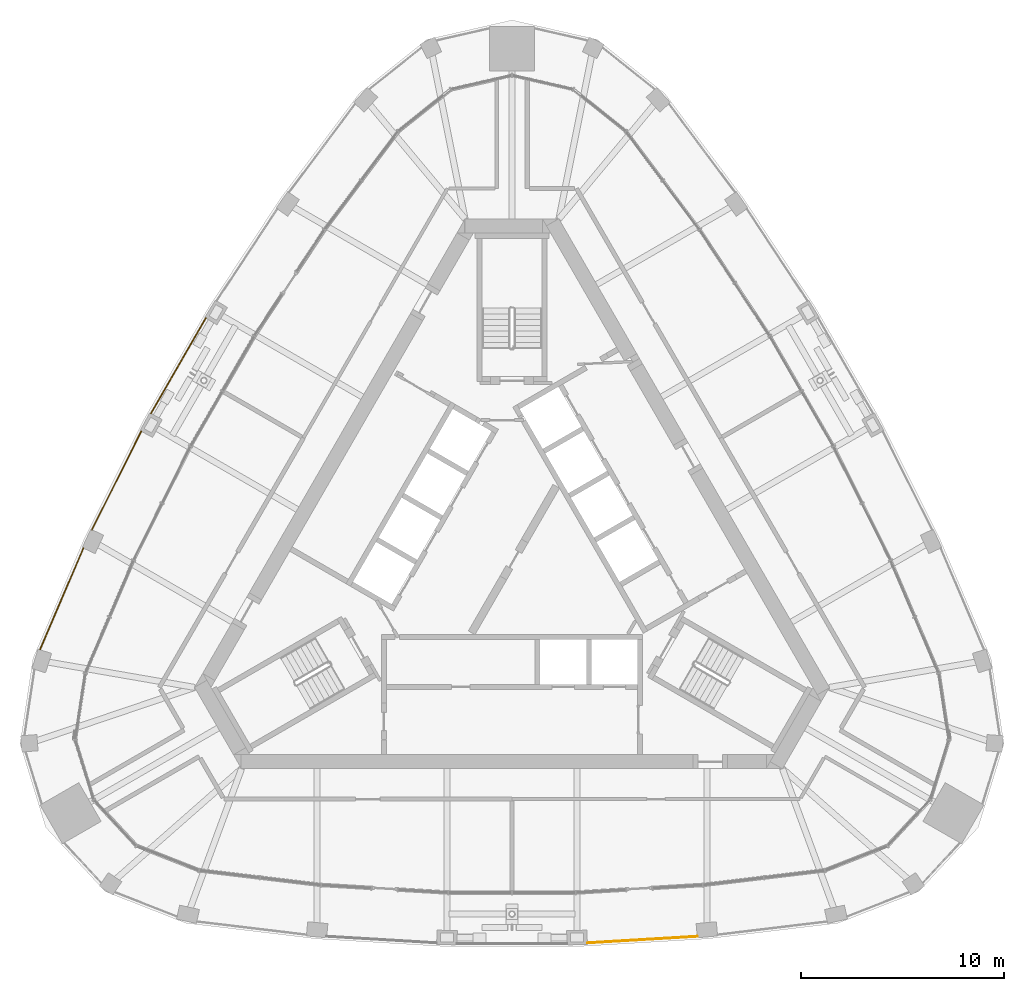
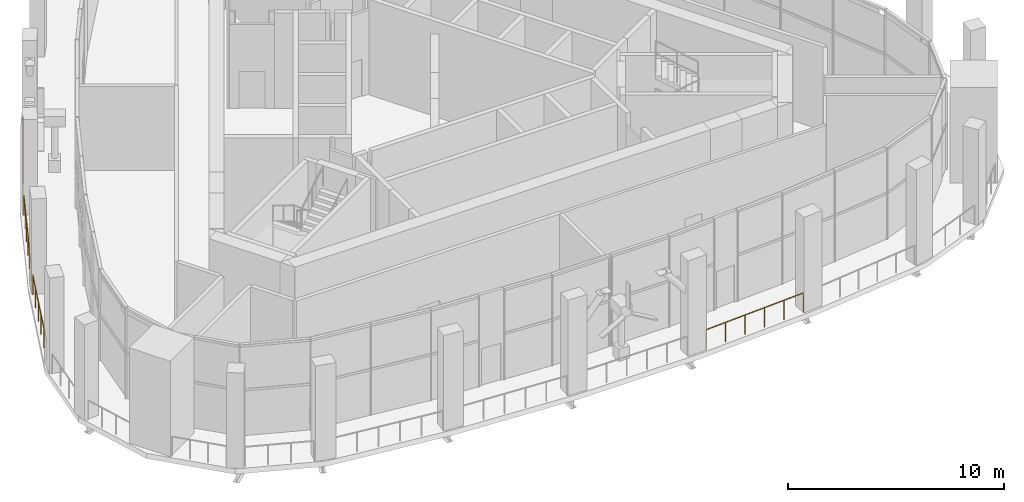
# One storey, part 19 of 23: 4 railings.
"""IFC4 building model written with IfcOpenShell, lengths in metres."""

from ifc_helpers import new_model, si_unit, direction, frame, origin, origin_2d, place, context, subcontext, project, spatial, circle, extrude, material, type_object, element, save


model = new_model("IFC4")

# Units and contexts
model_context = context("Model", 3, precision=1e-05, world=origin(), true_north=direction((0.0, 1.0)))
body_context = subcontext(model_context, "Body", "Model", "MODEL_VIEW")
ifc_project = project(units=[si_unit("LENGTHUNIT", "METRE"), si_unit("AREAUNIT", "SQUARE_METRE"), si_unit("VOLUMEUNIT", "CUBIC_METRE"), si_unit("PLANEANGLEUNIT", "RADIAN"), si_unit("MASSUNIT", "GRAM", prefix="KILO")], contexts=[model_context])

# Site, building, storey
site_placement = place(None, origin())
site = spatial("IfcSite", under=ifc_project, at=site_placement, CompositionType="ELEMENT")
building_placement = place(site_placement, origin())
building = spatial("IfcBuilding", under=site, at=building_placement, Name="Mestral Congress Tower", CompositionType="ELEMENT")
storey_placement = place(building_placement, frame((0.0, 0.0, 261.60009765625)))
storey = spatial("IfcBuildingStorey", under=building, at=storey_placement, Name="L61", CompositionType="ELEMENT", Elevation=261.60009765625)

# Railings
ifc_material = material(Name="Stainless steel", Category="steel")
railing_type = type_object("IfcRailingType", Name="Facade guard 1120 steel and glass", PredefinedType="GUARDRAIL", material=ifc_material)
railing_1_placement = place(storey_placement, frame((3.713134765625, -18.925048828125, 0.0)))
element("IfcRailing", 1, at=railing_1_placement, inside=storey, type_object=railing_type, Name="Ring deck guard F0-03", PredefinedType="GUARDRAIL", context=body_context, shape_type="SweptSolid", body=[
    extrude(circle(Radius=0.02392578125, at=origin_2d()), frame((0.0, 0.0, 1.09619140625), z_axis=(0.998221492823, 0.059614186786, 0.0), x_axis=(-0.059614186786, 0.998221492823, 0.0)), (0.0, 0.0, 1.0), 5.40576171875),
    extrude(circle(Radius=0.02099609375, at=origin_2d()), origin(), (0.0, 0.0, 1.0), 1.072021484375),
    extrude(circle(Radius=0.02099609375, at=origin_2d()), frame((1.079345703125, 0.064453125, 0.0)), (0.0, 0.0, 1.0), 1.072021484375),
    extrude(circle(Radius=0.02099609375, at=origin_2d()), frame((2.158447265625, 0.12890625, 0.0)), (0.0, 0.0, 1.0), 1.072021484375),
    extrude(circle(Radius=0.02099609375, at=origin_2d()), frame((3.23779296875, 0.193359375, 0.0)), (0.0, 0.0, 1.0), 1.072021484375),
    extrude(circle(Radius=0.02099609375, at=origin_2d()), frame((4.31689453125, 0.2578125, 0.0)), (0.0, 0.0, 1.0), 1.072021484375),
    extrude(circle(Radius=0.02099609375, at=origin_2d()), frame((5.396240234375, 0.322265625, 0.0)), (0.0, 0.0, 1.0), 1.072021484375),
])
railing_2_placement = place(storey_placement, frame((-15.064208984375, 11.818359375, 0.0)))
element("IfcRailing", 2, at=railing_2_placement, inside=storey, type_object=railing_type, Name="Ring deck guard F2-02", PredefinedType="GUARDRAIL", context=body_context, shape_type="SweptSolid", body=[
    extrude(circle(Radius=0.02392578125, at=origin_2d()), frame((0.0, 0.0, 1.09619140625), z_axis=(-0.499990896557, -0.866030659596, 0.0), x_axis=(0.866030659596, -0.499990896557, 0.0)), (0.0, 0.0, 1.0), 5.40576171875),
    extrude(circle(Radius=0.02099609375, at=origin_2d()), origin(), (0.0, 0.0, 1.0), 1.072021484375),
    extrude(circle(Radius=0.02099609375, at=origin_2d()), frame((-0.54052734375, -0.936279296875, 0.0)), (0.0, 0.0, 1.0), 1.072021484375),
    extrude(circle(Radius=0.02099609375, at=origin_2d()), frame((-1.0810546875, -1.87255859375, 0.0)), (0.0, 0.0, 1.0), 1.072021484375),
    extrude(circle(Radius=0.02099609375, at=origin_2d()), frame((-1.621826171875, -2.80908203125, 0.0)), (0.0, 0.0, 1.0), 1.072021484375),
    extrude(circle(Radius=0.02099609375, at=origin_2d()), frame((-2.162353515625, -3.745361328125, 0.0)), (0.0, 0.0, 1.0), 1.072021484375),
    extrude(circle(Radius=0.02099609375, at=origin_2d()), frame((-2.702880859375, -4.681640625, 0.0)), (0.0, 0.0, 1.0), 1.072021484375),
])
railing_3_placement = place(storey_placement, frame((-18.24609375, 6.246826171875, 0.0)))
element("IfcRailing", 3, at=railing_3_placement, inside=storey, type_object=railing_type, Name="Ring deck guard F2-03", PredefinedType="GUARDRAIL", context=body_context, shape_type="SweptSolid", body=[
    extrude(circle(Radius=0.02392578125, at=origin_2d()), frame((0.0, 0.0, 1.09619140625), z_axis=(-0.447466485607, -0.894300701251, 0.0), x_axis=(0.894300701251, -0.447466485607, 0.0)), (0.0, 0.0, 1.0), 5.40576171875),
    extrude(circle(Radius=0.02099609375, at=origin_2d()), origin(), (0.0, 0.0, 1.0), 1.072021484375),
    extrude(circle(Radius=0.02099609375, at=origin_2d()), frame((-0.48388671875, -0.966796875, 0.0)), (0.0, 0.0, 1.0), 1.072021484375),
    extrude(circle(Radius=0.02099609375, at=origin_2d()), frame((-0.967529296875, -1.933837890625, 0.0)), (0.0, 0.0, 1.0), 1.072021484375),
    extrude(circle(Radius=0.02099609375, at=origin_2d()), frame((-1.451416015625, -2.900634765625, 0.0)), (0.0, 0.0, 1.0), 1.072021484375),
    extrude(circle(Radius=0.02099609375, at=origin_2d()), frame((-1.93505859375, -3.86767578125, 0.0)), (0.0, 0.0, 1.0), 1.072021484375),
    extrude(circle(Radius=0.02099609375, at=origin_2d()), frame((-2.4189453125, -4.83447265625, 0.0)), (0.0, 0.0, 1.0), 1.072021484375),
])
railing_4_placement = place(storey_placement, frame((-21.090087890625, 0.49560546875, 0.0)))
element("IfcRailing", 4, at=railing_4_placement, inside=storey, type_object=railing_type, Name="Ring deck guard F2-04", PredefinedType="GUARDRAIL", context=body_context, shape_type="SweptSolid", body=[
    extrude(circle(Radius=0.02392578125, at=origin_2d()), frame((0.0, 0.0, 1.09619140625), z_axis=(-0.39336965333, -0.919380397789, 0.0), x_axis=(0.919380397789, -0.39336965333, 0.0)), (0.0, 0.0, 1.0), 5.4150390625),
    extrude(circle(Radius=0.02099609375, at=origin_2d()), origin(), (0.0, 0.0, 1.0), 1.072021484375),
    extrude(circle(Radius=0.02099609375, at=origin_2d()), frame((-0.426025390625, -0.99560546875, 0.0)), (0.0, 0.0, 1.0), 1.072021484375),
    extrude(circle(Radius=0.02099609375, at=origin_2d()), frame((-0.85205078125, -1.991455078125, 0.0)), (0.0, 0.0, 1.0), 1.072021484375),
    extrude(circle(Radius=0.02099609375, at=origin_2d()), frame((-1.278076171875, -2.987060546875, 0.0)), (0.0, 0.0, 1.0), 1.072021484375),
    extrude(circle(Radius=0.02099609375, at=origin_2d()), frame((-1.7041015625, -3.98291015625, 0.0)), (0.0, 0.0, 1.0), 1.072021484375),
    extrude(circle(Radius=0.02099609375, at=origin_2d()), frame((-2.130126953125, -4.978515625, 0.0)), (0.0, 0.0, 1.0), 1.072021484375),
])

save(model, "model.ifc")
